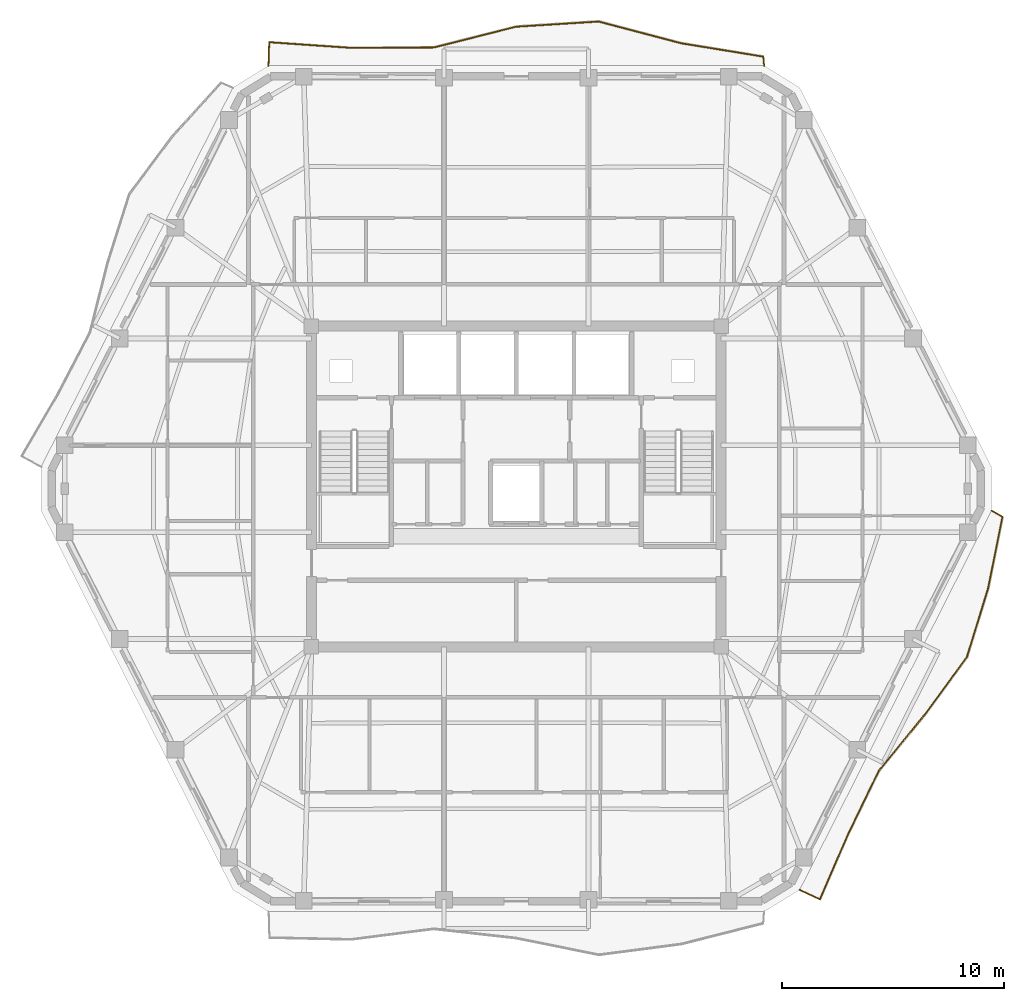
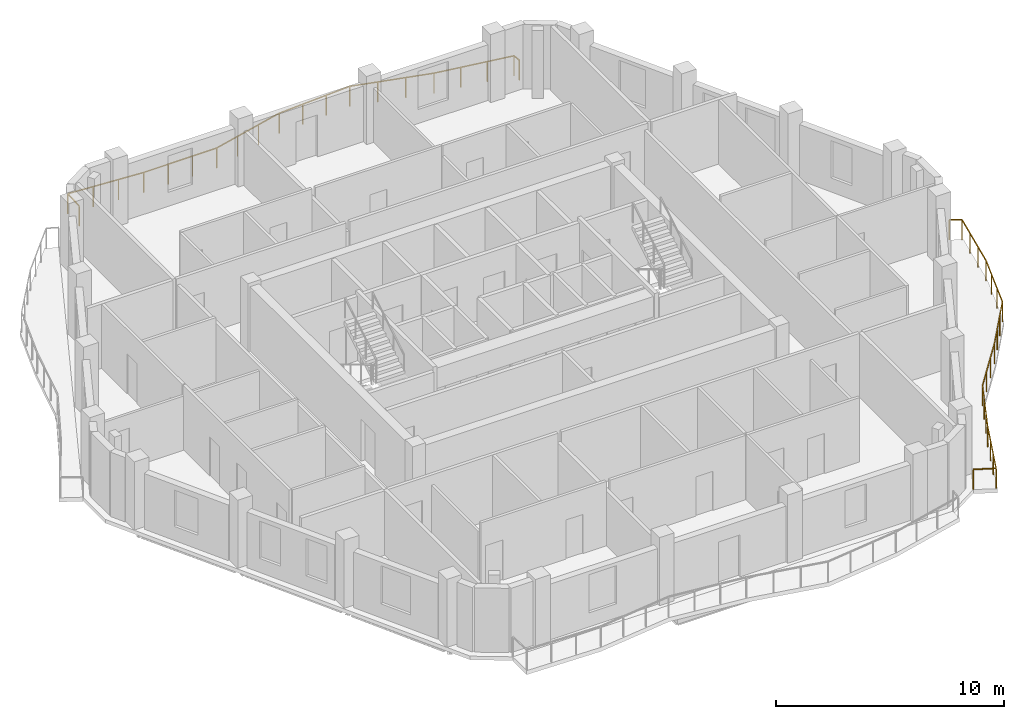
# One storey, part 11 of 11: 2 railings.
"""IFC4 building model written with IfcOpenShell, lengths in metres."""

import ifcopenshell
import ifcopenshell.guid

model = None  # the IFC model being written
_history = None  # IfcOwnerHistory: only IFC2X3 demands one
_inside = {}  # id of a spatial element -> (the spatial element, [elements in it])
_under = {}  # id of a project, library or spatial element -> (it, [spatial elements below it])
_declared = {}  # id of a project -> (the project, [libraries it declares])
_typed = {}  # id of a type object -> (the type object, [elements of that type])
_made_of = {}  # id of a material, layer set ... -> (it, [elements and type objects made of it])


def new_model(schema):
    """Start an empty IFC model of exactly this schema.

    Asked for "IFC4X3", IfcOpenShell would pick the latest addendum, in which some entities
    have other attributes; the version numbers below select the first issue.
    IFC2X3 requires an IfcOwnerHistory on every rooted entity: one is made here for all.
    """
    global model, _history
    if schema == "IFC4X3":
        model = ifcopenshell.file(schema_version=(4, 3, 0, 0))
    else:
        model = ifcopenshell.file(schema=schema)
    _inside.clear()
    _under.clear()
    _declared.clear()
    _typed.clear()
    _made_of.clear()
    _history = None
    if model.schema == "IFC2X3":
        org = make("IfcOrganization", Name="unknown")
        user = make(
            "IfcPersonAndOrganization",
            ThePerson=make("IfcPerson", FamilyName="unknown"),
            TheOrganization=org,
        )
        app = make(
            "IfcApplication",
            ApplicationDeveloper=org,
            Version="unknown",
            ApplicationFullName="unknown",
            ApplicationIdentifier="unknown",
        )
        _history = make(
            "IfcOwnerHistory",
            OwningUser=user,
            OwningApplication=app,
            ChangeAction="ADDED",
            CreationDate=0,
        )
    return model


def make(cls, **values):
    """One entity of the class cls with the attributes given. An attribute that is None is left unset."""
    return model.create_entity(
        cls, **{name: value for name, value in values.items() if value is not None}
    )


def rooted(cls, **values):
    """An entity with a GlobalId (a new one), such as an element, a storey or a relation."""
    return make(cls, GlobalId=ifcopenshell.guid.new(), OwnerHistory=_history, **values)


def si_unit(unit_type, name, prefix=None):
    """IfcSIUnit, for example si_unit("LENGTHUNIT", "METRE", prefix="MILLI")."""
    return make("IfcSIUnit", UnitType=unit_type, Prefix=prefix, Name=name)


def assignment(units):
    """IfcUnitAssignment: the units of a project."""
    return None if units is None else make("IfcUnitAssignment", Units=units)


def point(xyz):
    """IfcCartesianPoint."""
    return None if xyz is None else make("IfcCartesianPoint", Coordinates=xyz)


def direction(xyz):
    """IfcDirection."""
    return None if xyz is None else make("IfcDirection", DirectionRatios=xyz)


def frame(location, z_axis=None, x_axis=None):
    """IfcAxis2Placement3D, a coordinate frame: its origin and axes. An axis left out is left unset."""
    return make(
        "IfcAxis2Placement3D",
        Location=point(location),
        Axis=direction(z_axis),
        RefDirection=direction(x_axis),
    )


def frame_2d(location, x_axis=None):
    """IfcAxis2Placement2D, a coordinate frame in the plane: its origin and x axis."""
    return make(
        "IfcAxis2Placement2D", Location=point(location), RefDirection=direction(x_axis)
    )


def origin():
    """The frame at (0, 0, 0) with its axes left unset."""
    return frame((0.0, 0.0, 0.0))


def origin_2d():
    """The frame at (0, 0) in the plane with its x axis left unset."""
    return frame_2d((0.0, 0.0))


def place(relative_to, where):
    """IfcLocalPlacement: puts the frame where relative to a parent placement (None: the world)."""
    return make(
        "IfcLocalPlacement", PlacementRelTo=relative_to, RelativePlacement=where
    )


def context(
    kind, dimensions, precision=None, world=None, true_north=None, identifier=None
):
    """IfcGeometricRepresentationContext, for example the 3D "Model" context."""
    return make(
        "IfcGeometricRepresentationContext",
        ContextIdentifier=identifier,
        ContextType=kind,
        CoordinateSpaceDimension=dimensions,
        Precision=precision,
        WorldCoordinateSystem=world,
        TrueNorth=true_north,
    )


def subcontext(parent, identifier, kind, view, scale=None):
    """IfcGeometricRepresentationSubContext, for example "Body" below "Model"."""
    return make(
        "IfcGeometricRepresentationSubContext",
        ContextIdentifier=identifier,
        ContextType=kind,
        ParentContext=parent,
        TargetScale=scale,
        TargetView=view,
    )


def project(units=None, contexts=None):
    """IfcProject with its units and contexts."""
    return rooted(
        "IfcProject",
        Name="project",
        RepresentationContexts=contexts,
        UnitsInContext=assignment(units),
    )


def spatial(cls, under=None, at=None, **own):
    """A site, building, storey or space (cls), placed at a placement, below another one or the project."""
    s = rooted(cls, ObjectPlacement=at, **own)
    if under is not None:
        _under.setdefault(under.id(), (under, []))[1].append(s)
    return s


def profile(cls, at=None, kind="AREA", **sizes):
    """A parametric profile (cls). Its sizes go by their IFC names, for example OverallWidth=200.0."""
    return make(cls, ProfileType=kind, Position=at, **sizes)


def rectangle(**sizes):
    """IfcRectangleProfileDef."""
    return profile("IfcRectangleProfileDef", **sizes)


def extrude(swept, where, along, depth):
    """IfcExtrudedAreaSolid: the profile swept, set in the frame where, extruded along a direction by depth."""
    return make(
        "IfcExtrudedAreaSolid",
        SweptArea=swept,
        Position=where,
        ExtrudedDirection=direction(along),
        Depth=depth,
    )


def shape(context_of_items, identifier, shape_type, items):
    """IfcShapeRepresentation: the items that make up one representation, for example the "Body"."""
    return make(
        "IfcShapeRepresentation",
        ContextOfItems=context_of_items,
        RepresentationIdentifier=identifier,
        RepresentationType=shape_type,
        Items=items,
    )


def material(Name=None, Category=None):
    """IfcMaterial."""
    return make("IfcMaterial", Name=Name, Category=Category)


def made_of(thing, what):
    """Note that an element or type object is made of a material, layer set ...; save() writes the relation."""
    if what is not None:
        _made_of.setdefault(what.id(), (what, []))[1].append(thing)
    return thing


def type_object(cls, material=None, **own):
    """A type object (cls), such as IfcWallType, which elements share."""
    return made_of(rooted(cls, **own), material)


def element(
    cls,
    number,
    at=None,
    inside=None,
    cuts=None,
    type_object=None,
    material=None,
    context=None,
    identifier="Body",
    shape_type=None,
    held_by="IfcProductDefinitionShape",
    body=None,
    shapes=None,
    **own,
):
    """One element of the class cls, such as IfcWall. Its Tag is "e" and its number.

    at: its placement. inside: the storey or other place that contains it. cuts: it is an
    opening in that element (IfcRelVoidsElement). A single representation is given by context,
    identifier, shape_type and body (its items); several are given by shapes. held_by: the class
    of the entity that holds the representations. save() writes the other relations.
    """
    e = rooted(cls, Tag="e%d" % number, ObjectPlacement=at, **own)
    if body is not None:
        shapes = [shape(context, identifier, shape_type, body)]
    if shapes is not None:
        e.Representation = make(held_by, Representations=shapes)
    if inside is not None:
        _inside.setdefault(inside.id(), (inside, []))[1].append(e)
    if cuts is not None:
        rooted(
            "IfcRelVoidsElement", RelatingBuildingElement=cuts, RelatedOpeningElement=e
        )
    if type_object is not None:
        _typed.setdefault(type_object.id(), (type_object, []))[1].append(e)
    return made_of(e, material)


def aggregate(whole, parts):
    """IfcRelAggregates: a whole, such as a stair, and the parts it consists of."""
    return rooted("IfcRelAggregates", RelatingObject=whole, RelatedObjects=parts)


def save(model, path):
    """Write the relations noted so far, then the file.

    IfcRelAggregates (storeys below a building ...), IfcRelContainedInSpatialStructure (elements
    in a storey), IfcRelDefinesByType, IfcRelAssociatesMaterial and IfcRelDeclares: one each for
    every whole, place, type object, material and project.
    """
    for whole, parts in _under.values():
        aggregate(whole, parts)
    for where, things in _inside.values():
        rooted(
            "IfcRelContainedInSpatialStructure",
            RelatedElements=things,
            RelatingStructure=where,
        )
    for kind, things in _typed.values():
        rooted("IfcRelDefinesByType", RelatedObjects=things, RelatingType=kind)
    for what, things in _made_of.values():
        rooted("IfcRelAssociatesMaterial", RelatedObjects=things, RelatingMaterial=what)
    for by, libraries in _declared.values():
        rooted("IfcRelDeclares", RelatingContext=by, RelatedDefinitions=libraries)
    model.write(path)


model = new_model("IFC4")

# Units and contexts
model_context = context("Model", 3, precision=1e-05, world=origin(), true_north=direction((0.0, 1.0)))
body_context = subcontext(model_context, "Body", "Model", "MODEL_VIEW")
ifc_project = project(units=[si_unit("LENGTHUNIT", "METRE"), si_unit("AREAUNIT", "SQUARE_METRE"), si_unit("VOLUMEUNIT", "CUBIC_METRE"), si_unit("PLANEANGLEUNIT", "RADIAN"), si_unit("MASSUNIT", "GRAM", prefix="KILO")], contexts=[model_context])

# Site, building, storey
site_placement = place(None, origin())
site = spatial("IfcSite", under=ifc_project, at=site_placement, CompositionType="ELEMENT")
building_placement = place(site_placement, origin())
building = spatial("IfcBuilding", under=site, at=building_placement, Name="Cinnabar Lancet Tower", CompositionType="ELEMENT")
storey_placement = place(building_placement, frame((0.0, 0.0, 234.300048828125)))
storey = spatial("IfcBuildingStorey", under=building, at=storey_placement, Name="L62", CompositionType="ELEMENT", Elevation=234.300048828125)

# Railings
ifc_material = material(Name="Laminated safety glass and bronze stainless steel balustrade", Category="steel")
railing_type = type_object("IfcRailingType", Name="ENV-RLG-BAL-1100", PredefinedType="BALUSTRADE", material=ifc_material)
railing_1_placement = place(storey_placement, frame((45.160888671875, 7.73193359375, 0.0)))
element("IfcRailing", 1, at=railing_1_placement, inside=storey, type_object=railing_type, Name="L62 Face 2 Wave Balcony Balustrade", PredefinedType="BALUSTRADE", context=body_context, shape_type="SweptSolid", body=[
    extrude(rectangle(XDim=0.048095703125, YDim=0.048095703125, at=origin_2d()), frame((0.0, 0.0, 1.076171875), z_axis=(0.906040588142, -0.423190799333, 0.0), x_axis=(0.423190799333, 0.906040588142, 0.0)), (0.0, 0.0, 1.0), 1.006591796875),
    extrude(rectangle(XDim=0.048095703125, YDim=0.048095703125, at=origin_2d()), frame((0.912109375, -0.426025390625, 1.076171875), z_axis=(0.397012247484, 0.917813311817, 0.0), x_axis=(-0.917813311817, 0.397012247484, 0.0)), (0.0, 0.0, 1.0), 3.189208984375),
    extrude(rectangle(XDim=0.048095703125, YDim=0.048095703125, at=origin_2d()), frame((2.17822265625, 2.5009765625, 1.076171875), z_axis=(0.435974101064, 0.899959211965, 0.0), x_axis=(-0.899959211965, 0.435974101064, 0.0)), (0.0, 0.0, 1.0), 3.181396484375),
    extrude(rectangle(XDim=0.048095703125, YDim=0.048095703125, at=origin_2d()), frame((3.565185546875, 5.364013671875, 1.076171875), z_axis=(0.632976563418, 0.774170956678, 0.0), x_axis=(-0.774170956678, 0.632976563418, 0.0)), (0.0, 0.0, 1.0), 3.257568359375),
    extrude(rectangle(XDim=0.048095703125, YDim=0.048095703125, at=origin_2d()), frame((5.627197265625, 7.885986328125, 1.076171875), z_axis=(0.591018827906, 0.806657762041, 0.0), x_axis=(-0.806657762041, 0.591018827906, 0.0)), (0.0, 0.0, 1.0), 3.223388671875),
    extrude(rectangle(XDim=0.048095703125, YDim=0.048095703125, at=origin_2d()), frame((7.5322265625, 10.486083984375, 1.076171875), z_axis=(0.294930887707, 0.955518587719, 0.0), x_axis=(-0.955518587719, 0.294930887707, 0.0)), (0.0, 0.0, 1.0), 3.2275390625),
    extrude(rectangle(XDim=0.048095703125, YDim=0.048095703125, at=origin_2d()), frame((8.484130859375, 13.570068359375, 1.076171875), z_axis=(0.196898409057, 0.980423896338, 0.0), x_axis=(-0.980423896338, 0.196898409057, 0.0)), (0.0, 0.0, 1.0), 3.30078125),
    extrude(rectangle(XDim=0.048095703125, YDim=0.048095703125, at=origin_2d()), frame((9.134033203125, 16.80615234375, 1.076171875), z_axis=(-0.86906473138, 0.494698385555, 0.0), x_axis=(-0.494698385555, -0.86906473138, 0.0)), (0.0, 0.0, 1.0), 0.566162109375),
    extrude(rectangle(XDim=0.0419921875, YDim=0.0419921875, at=origin_2d()), origin(), (0.0, 0.0, 1.0), 1.052001953125),
    extrude(rectangle(XDim=0.0419921875, YDim=0.0419921875, at=origin_2d()), frame((0.912109375, -0.426025390625, 0.0)), (0.0, 0.0, 1.0), 1.052001953125),
    extrude(rectangle(XDim=0.0419921875, YDim=0.0419921875, at=origin_2d()), frame((1.334228515625, 0.549560546875, 0.0)), (0.0, 0.0, 1.0), 1.052001953125),
    extrude(rectangle(XDim=0.0419921875, YDim=0.0419921875, at=origin_2d()), frame((1.756103515625, 1.525390625, 0.0)), (0.0, 0.0, 1.0), 1.052001953125),
    extrude(rectangle(XDim=0.0419921875, YDim=0.0419921875, at=origin_2d()), frame((2.17822265625, 2.5009765625, 0.0)), (0.0, 0.0, 1.0), 1.052001953125),
    extrude(rectangle(XDim=0.0419921875, YDim=0.0419921875, at=origin_2d()), frame((2.640625, 3.455322265625, 0.0)), (0.0, 0.0, 1.0), 1.052001953125),
    extrude(rectangle(XDim=0.0419921875, YDim=0.0419921875, at=origin_2d()), frame((3.102783203125, 4.40966796875, 0.0)), (0.0, 0.0, 1.0), 1.052001953125),
    extrude(rectangle(XDim=0.0419921875, YDim=0.0419921875, at=origin_2d()), frame((3.565185546875, 5.364013671875, 0.0)), (0.0, 0.0, 1.0), 1.052001953125),
    extrude(rectangle(XDim=0.0419921875, YDim=0.0419921875, at=origin_2d()), frame((4.25244140625, 6.20458984375, 0.0)), (0.0, 0.0, 1.0), 1.052001953125),
    extrude(rectangle(XDim=0.0419921875, YDim=0.0419921875, at=origin_2d()), frame((4.93994140625, 7.04541015625, 0.0)), (0.0, 0.0, 1.0), 1.052001953125),
    extrude(rectangle(XDim=0.0419921875, YDim=0.0419921875, at=origin_2d()), frame((5.627197265625, 7.885986328125, 0.0)), (0.0, 0.0, 1.0), 1.052001953125),
    extrude(rectangle(XDim=0.0419921875, YDim=0.0419921875, at=origin_2d()), frame((6.26220703125, 8.752685546875, 0.0)), (0.0, 0.0, 1.0), 1.052001953125),
    extrude(rectangle(XDim=0.0419921875, YDim=0.0419921875, at=origin_2d()), frame((6.897216796875, 9.619384765625, 0.0)), (0.0, 0.0, 1.0), 1.052001953125),
    extrude(rectangle(XDim=0.0419921875, YDim=0.0419921875, at=origin_2d()), frame((7.5322265625, 10.486083984375, 0.0)), (0.0, 0.0, 1.0), 1.052001953125),
    extrude(rectangle(XDim=0.0419921875, YDim=0.0419921875, at=origin_2d()), frame((7.849609375, 11.51416015625, 0.0)), (0.0, 0.0, 1.0), 1.052001953125),
    extrude(rectangle(XDim=0.0419921875, YDim=0.0419921875, at=origin_2d()), frame((8.166748046875, 12.5419921875, 0.0)), (0.0, 0.0, 1.0), 1.052001953125),
    extrude(rectangle(XDim=0.0419921875, YDim=0.0419921875, at=origin_2d()), frame((8.484130859375, 13.570068359375, 0.0)), (0.0, 0.0, 1.0), 1.052001953125),
    extrude(rectangle(XDim=0.0419921875, YDim=0.0419921875, at=origin_2d()), frame((8.70068359375, 14.648681640625, 0.0)), (0.0, 0.0, 1.0), 1.052001953125),
    extrude(rectangle(XDim=0.0419921875, YDim=0.0419921875, at=origin_2d()), frame((8.91748046875, 15.7275390625, 0.0)), (0.0, 0.0, 1.0), 1.052001953125),
    extrude(rectangle(XDim=0.0419921875, YDim=0.0419921875, at=origin_2d()), frame((9.134033203125, 16.80615234375, 0.0)), (0.0, 0.0, 1.0), 1.052001953125),
    extrude(rectangle(XDim=0.0419921875, YDim=0.0419921875, at=origin_2d()), frame((8.64208984375, 17.086181640625, 0.0)), (0.0, 0.0, 1.0), 1.052001953125),
])
railing_2_placement = place(storey_placement, frame((43.56396484375, 44.85009765625, 0.0)))
element("IfcRailing", 2, at=railing_2_placement, inside=storey, type_object=railing_type, Name="L62 Face 4 Wave Balcony Balustrade", PredefinedType="BALUSTRADE", context=body_context, shape_type="SweptSolid", body=[
    extrude(rectangle(XDim=0.048095703125, YDim=0.048095703125, at=origin_2d()), frame((0.0, 0.0, 1.076171875), z_axis=(-0.085063700681, 0.996375514967, 0.0), x_axis=(-0.996375514967, -0.085063700681, 0.0)), (0.0, 0.0, 1.0), 0.410400390625),
    extrude(rectangle(XDim=0.048095703125, YDim=0.048095703125, at=origin_2d()), frame((-0.034912109375, 0.408935546875, 1.076171875), z_axis=(-0.987004874345, 0.160690317131, 0.0), x_axis=(-0.160690317131, -0.987004874345, 0.0)), (0.0, 0.0, 1.0), 3.7587890625),
    extrude(rectangle(XDim=0.048095703125, YDim=0.048095703125, at=origin_2d()), frame((-3.744873046875, 1.012939453125, 1.076171875), z_axis=(-0.966968129991, 0.254897303991, 0.0), x_axis=(-0.254897303991, -0.966968129991, 0.0)), (0.0, 0.0, 1.0), 3.8369140625),
    extrude(rectangle(XDim=0.048095703125, YDim=0.048095703125, at=origin_2d()), frame((-7.455078125, 1.990966796875, 1.076171875), z_axis=(-0.998030018991, -0.062738195638, 0.0), x_axis=(0.062738195638, -0.998030018991, 0.0)), (0.0, 0.0, 1.0), 3.71630859375),
    extrude(rectangle(XDim=0.048095703125, YDim=0.048095703125, at=origin_2d()), frame((-11.1640625, 1.7578125, 1.076171875), z_axis=(-0.969659888236, -0.244457974194, 0.0), x_axis=(0.244457974194, -0.969659888236, 0.0)), (0.0, 0.0, 1.0), 3.823974609375),
    extrude(rectangle(XDim=0.048095703125, YDim=0.048095703125, at=origin_2d()), frame((-14.8720703125, 0.822998046875, 1.076171875), z_axis=(-0.999985441063, -0.005396078321, 0.0), x_axis=(0.005396078321, -0.999985441063, 0.0)), (0.0, 0.0, 1.0), 3.7099609375),
    extrude(rectangle(XDim=0.048095703125, YDim=0.048095703125, at=origin_2d()), frame((-18.58203125, 0.802978515625, 1.076171875), z_axis=(-0.997614772763, 0.06902727841, 0.0), x_axis=(-0.06902727841, -0.997614772763, 0.0)), (0.0, 0.0, 1.0), 3.720703125),
    extrude(rectangle(XDim=0.048095703125, YDim=0.048095703125, at=origin_2d()), frame((-22.2939453125, 1.059814453125, 1.076171875), z_axis=(-0.032003869282, -0.999487744973, 0.0), x_axis=(0.999487744973, -0.032003869282, 0.0)), (0.0, 0.0, 1.0), 1.060302734375),
    extrude(rectangle(XDim=0.0419921875, YDim=0.0419921875, at=origin_2d()), origin(), (0.0, 0.0, 1.0), 1.052001953125),
    extrude(rectangle(XDim=0.0419921875, YDim=0.0419921875, at=origin_2d()), frame((-0.034912109375, 0.408935546875, 0.0)), (0.0, 0.0, 1.0), 1.052001953125),
    extrude(rectangle(XDim=0.0419921875, YDim=0.0419921875, at=origin_2d()), frame((-1.271484375, 0.6103515625, 0.0)), (0.0, 0.0, 1.0), 1.052001953125),
    extrude(rectangle(XDim=0.0419921875, YDim=0.0419921875, at=origin_2d()), frame((-2.50830078125, 0.8115234375, 0.0)), (0.0, 0.0, 1.0), 1.052001953125),
    extrude(rectangle(XDim=0.0419921875, YDim=0.0419921875, at=origin_2d()), frame((-3.744873046875, 1.012939453125, 0.0)), (0.0, 0.0, 1.0), 1.052001953125),
    extrude(rectangle(XDim=0.0419921875, YDim=0.0419921875, at=origin_2d()), frame((-4.981689453125, 1.3388671875, 0.0)), (0.0, 0.0, 1.0), 1.052001953125),
    extrude(rectangle(XDim=0.0419921875, YDim=0.0419921875, at=origin_2d()), frame((-6.21826171875, 1.6650390625, 0.0)), (0.0, 0.0, 1.0), 1.052001953125),
    extrude(rectangle(XDim=0.0419921875, YDim=0.0419921875, at=origin_2d()), frame((-7.455078125, 1.990966796875, 0.0)), (0.0, 0.0, 1.0), 1.052001953125),
    extrude(rectangle(XDim=0.0419921875, YDim=0.0419921875, at=origin_2d()), frame((-8.69140625, 1.913330078125, 0.0)), (0.0, 0.0, 1.0), 1.052001953125),
    extrude(rectangle(XDim=0.0419921875, YDim=0.0419921875, at=origin_2d()), frame((-9.927734375, 1.83544921875, 0.0)), (0.0, 0.0, 1.0), 1.052001953125),
    extrude(rectangle(XDim=0.0419921875, YDim=0.0419921875, at=origin_2d()), frame((-11.1640625, 1.7578125, 0.0)), (0.0, 0.0, 1.0), 1.052001953125),
    extrude(rectangle(XDim=0.0419921875, YDim=0.0419921875, at=origin_2d()), frame((-12.400146484375, 1.4462890625, 0.0)), (0.0, 0.0, 1.0), 1.052001953125),
    extrude(rectangle(XDim=0.0419921875, YDim=0.0419921875, at=origin_2d()), frame((-13.635986328125, 1.134521484375, 0.0)), (0.0, 0.0, 1.0), 1.052001953125),
    extrude(rectangle(XDim=0.0419921875, YDim=0.0419921875, at=origin_2d()), frame((-14.8720703125, 0.822998046875, 0.0)), (0.0, 0.0, 1.0), 1.052001953125),
    extrude(rectangle(XDim=0.0419921875, YDim=0.0419921875, at=origin_2d()), frame((-16.108642578125, 0.81640625, 0.0)), (0.0, 0.0, 1.0), 1.052001953125),
    extrude(rectangle(XDim=0.0419921875, YDim=0.0419921875, at=origin_2d()), frame((-17.345458984375, 0.8095703125, 0.0)), (0.0, 0.0, 1.0), 1.052001953125),
    extrude(rectangle(XDim=0.0419921875, YDim=0.0419921875, at=origin_2d()), frame((-18.58203125, 0.802978515625, 0.0)), (0.0, 0.0, 1.0), 1.052001953125),
    extrude(rectangle(XDim=0.0419921875, YDim=0.0419921875, at=origin_2d()), frame((-19.8193359375, 0.888671875, 0.0)), (0.0, 0.0, 1.0), 1.052001953125),
    extrude(rectangle(XDim=0.0419921875, YDim=0.0419921875, at=origin_2d()), frame((-21.056640625, 0.97412109375, 0.0)), (0.0, 0.0, 1.0), 1.052001953125),
    extrude(rectangle(XDim=0.0419921875, YDim=0.0419921875, at=origin_2d()), frame((-22.2939453125, 1.059814453125, 0.0)), (0.0, 0.0, 1.0), 1.052001953125),
    extrude(rectangle(XDim=0.0419921875, YDim=0.0419921875, at=origin_2d()), frame((-22.327880859375, 0.0, 0.0)), (0.0, 0.0, 1.0), 1.052001953125),
])

save(model, "model.ifc")
